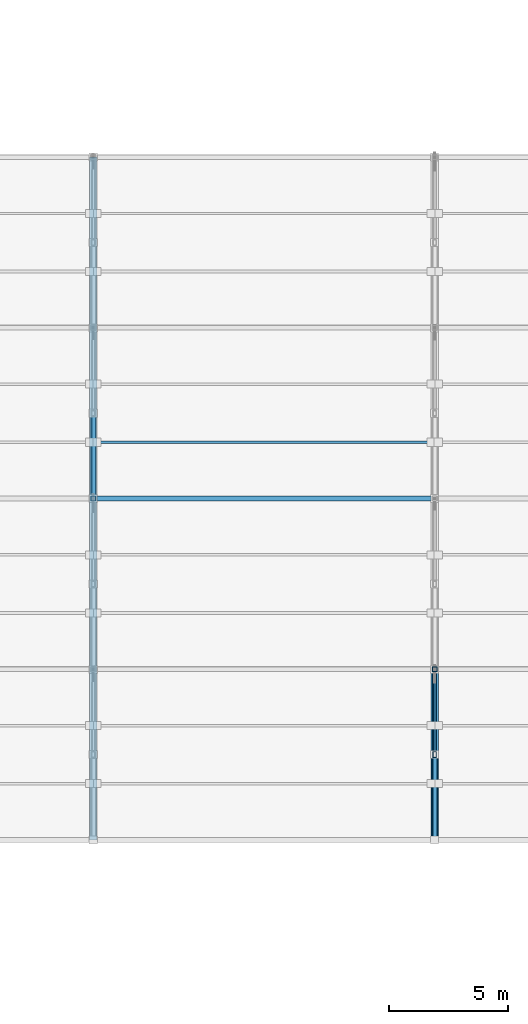
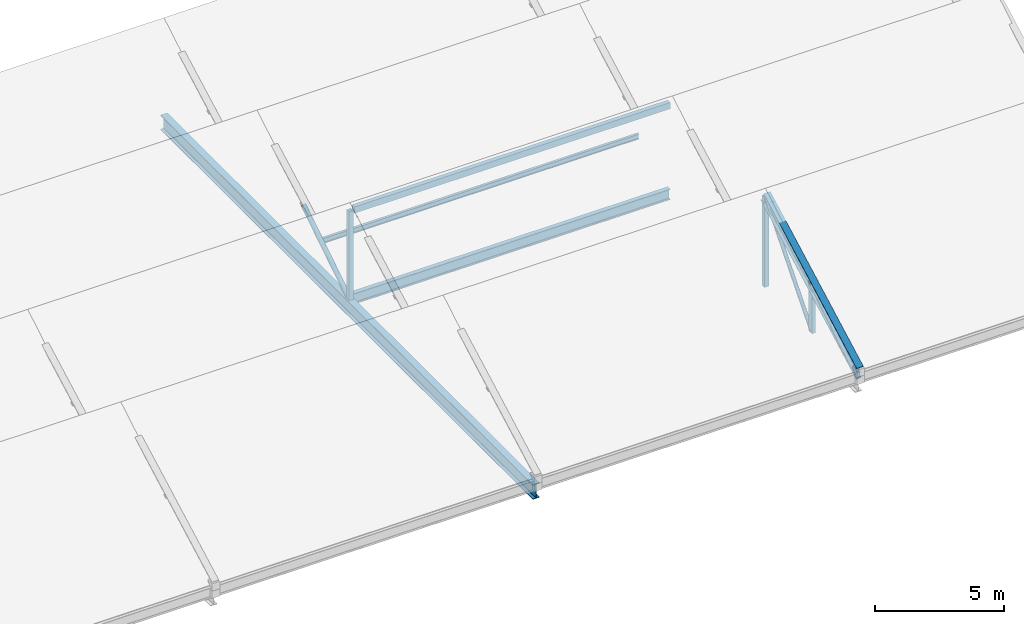
# One storey, part 16 of 51: 9 members, 2 beams.
"""IFC4 building model written with IfcOpenShell, lengths in metres."""

import ifcopenshell
import ifcopenshell.guid

model = None  # the IFC model being written
_history = None  # IfcOwnerHistory: only IFC2X3 demands one
_inside = {}  # id of a spatial element -> (the spatial element, [elements in it])
_under = {}  # id of a project, library or spatial element -> (it, [spatial elements below it])
_declared = {}  # id of a project -> (the project, [libraries it declares])
_typed = {}  # id of a type object -> (the type object, [elements of that type])
_made_of = {}  # id of a material, layer set ... -> (it, [elements and type objects made of it])


def new_model(schema):
    """Start an empty IFC model of exactly this schema.

    Asked for "IFC4X3", IfcOpenShell would pick the latest addendum, in which some entities
    have other attributes; the version numbers below select the first issue.
    IFC2X3 requires an IfcOwnerHistory on every rooted entity: one is made here for all.
    """
    global model, _history
    if schema == "IFC4X3":
        model = ifcopenshell.file(schema_version=(4, 3, 0, 0))
    else:
        model = ifcopenshell.file(schema=schema)
    _inside.clear()
    _under.clear()
    _declared.clear()
    _typed.clear()
    _made_of.clear()
    _history = None
    if model.schema == "IFC2X3":
        org = make("IfcOrganization", Name="unknown")
        user = make(
            "IfcPersonAndOrganization",
            ThePerson=make("IfcPerson", FamilyName="unknown"),
            TheOrganization=org,
        )
        app = make(
            "IfcApplication",
            ApplicationDeveloper=org,
            Version="unknown",
            ApplicationFullName="unknown",
            ApplicationIdentifier="unknown",
        )
        _history = make(
            "IfcOwnerHistory",
            OwningUser=user,
            OwningApplication=app,
            ChangeAction="ADDED",
            CreationDate=0,
        )
    return model


def make(cls, **values):
    """One entity of the class cls with the attributes given. An attribute that is None is left unset."""
    return model.create_entity(
        cls, **{name: value for name, value in values.items() if value is not None}
    )


def rooted(cls, **values):
    """An entity with a GlobalId (a new one), such as an element, a storey or a relation."""
    return make(cls, GlobalId=ifcopenshell.guid.new(), OwnerHistory=_history, **values)


def si_unit(unit_type, name, prefix=None):
    """IfcSIUnit, for example si_unit("LENGTHUNIT", "METRE", prefix="MILLI")."""
    return make("IfcSIUnit", UnitType=unit_type, Prefix=prefix, Name=name)


def assignment(units):
    """IfcUnitAssignment: the units of a project."""
    return None if units is None else make("IfcUnitAssignment", Units=units)


def point(xyz):
    """IfcCartesianPoint."""
    return None if xyz is None else make("IfcCartesianPoint", Coordinates=xyz)


def direction(xyz):
    """IfcDirection."""
    return None if xyz is None else make("IfcDirection", DirectionRatios=xyz)


def frame(location, z_axis=None, x_axis=None):
    """IfcAxis2Placement3D, a coordinate frame: its origin and axes. An axis left out is left unset."""
    return make(
        "IfcAxis2Placement3D",
        Location=point(location),
        Axis=direction(z_axis),
        RefDirection=direction(x_axis),
    )


def frame_2d(location, x_axis=None):
    """IfcAxis2Placement2D, a coordinate frame in the plane: its origin and x axis."""
    return make(
        "IfcAxis2Placement2D", Location=point(location), RefDirection=direction(x_axis)
    )


def origin():
    """The frame at (0, 0, 0) with its axes left unset."""
    return frame((0.0, 0.0, 0.0))


def origin_2d():
    """The frame at (0, 0) in the plane with its x axis left unset."""
    return frame_2d((0.0, 0.0))


def place(relative_to, where):
    """IfcLocalPlacement: puts the frame where relative to a parent placement (None: the world)."""
    return make(
        "IfcLocalPlacement", PlacementRelTo=relative_to, RelativePlacement=where
    )


def context(
    kind, dimensions, precision=None, world=None, true_north=None, identifier=None
):
    """IfcGeometricRepresentationContext, for example the 3D "Model" context."""
    return make(
        "IfcGeometricRepresentationContext",
        ContextIdentifier=identifier,
        ContextType=kind,
        CoordinateSpaceDimension=dimensions,
        Precision=precision,
        WorldCoordinateSystem=world,
        TrueNorth=true_north,
    )


def subcontext(parent, identifier, kind, view, scale=None):
    """IfcGeometricRepresentationSubContext, for example "Body" below "Model"."""
    return make(
        "IfcGeometricRepresentationSubContext",
        ContextIdentifier=identifier,
        ContextType=kind,
        ParentContext=parent,
        TargetScale=scale,
        TargetView=view,
    )


def project(units=None, contexts=None):
    """IfcProject with its units and contexts."""
    return rooted(
        "IfcProject",
        Name="project",
        RepresentationContexts=contexts,
        UnitsInContext=assignment(units),
    )


def spatial(cls, under=None, at=None, **own):
    """A site, building, storey or space (cls), placed at a placement, below another one or the project."""
    s = rooted(cls, ObjectPlacement=at, **own)
    if under is not None:
        _under.setdefault(under.id(), (under, []))[1].append(s)
    return s


def profile(cls, at=None, kind="AREA", **sizes):
    """A parametric profile (cls). Its sizes go by their IFC names, for example OverallWidth=200.0."""
    return make(cls, ProfileType=kind, Position=at, **sizes)


def hollow_rectangle(**sizes):
    """IfcRectangleHollowProfileDef."""
    return profile("IfcRectangleHollowProfileDef", **sizes)


def hollow_circle(**sizes):
    """IfcCircleHollowProfileDef."""
    return profile("IfcCircleHollowProfileDef", **sizes)


def i_section(**sizes):
    """IfcIShapeProfileDef."""
    return profile("IfcIShapeProfileDef", **sizes)


def extrude(swept, where, along, depth):
    """IfcExtrudedAreaSolid: the profile swept, set in the frame where, extruded along a direction by depth."""
    return make(
        "IfcExtrudedAreaSolid",
        SweptArea=swept,
        Position=where,
        ExtrudedDirection=direction(along),
        Depth=depth,
    )


def shape(context_of_items, identifier, shape_type, items):
    """IfcShapeRepresentation: the items that make up one representation, for example the "Body"."""
    return make(
        "IfcShapeRepresentation",
        ContextOfItems=context_of_items,
        RepresentationIdentifier=identifier,
        RepresentationType=shape_type,
        Items=items,
    )


def material(Name=None, Category=None):
    """IfcMaterial."""
    return make("IfcMaterial", Name=Name, Category=Category)


def material_profile(
    of_material, cross_section, Name=None, Category=None, Priority=None
):
    """IfcMaterialProfile: a cross section and its material."""
    return make(
        "IfcMaterialProfile",
        Name=Name,
        Material=of_material,
        Profile=cross_section,
        Priority=Priority,
        Category=Category,
    )


def profile_set(profiles, Name=None, composite=None):
    """IfcMaterialProfileSet."""
    return make(
        "IfcMaterialProfileSet",
        Name=Name,
        MaterialProfiles=profiles,
        CompositeProfile=composite,
    )


def made_of(thing, what):
    """Note that an element or type object is made of a material, layer set ...; save() writes the relation."""
    if what is not None:
        _made_of.setdefault(what.id(), (what, []))[1].append(thing)
    return thing


def type_object(cls, material=None, **own):
    """A type object (cls), such as IfcWallType, which elements share."""
    return made_of(rooted(cls, **own), material)


def element(
    cls,
    number,
    at=None,
    inside=None,
    cuts=None,
    type_object=None,
    material=None,
    context=None,
    identifier="Body",
    shape_type=None,
    held_by="IfcProductDefinitionShape",
    body=None,
    shapes=None,
    **own,
):
    """One element of the class cls, such as IfcWall. Its Tag is "e" and its number.

    at: its placement. inside: the storey or other place that contains it. cuts: it is an
    opening in that element (IfcRelVoidsElement). A single representation is given by context,
    identifier, shape_type and body (its items); several are given by shapes. held_by: the class
    of the entity that holds the representations. save() writes the other relations.
    """
    e = rooted(cls, Tag="e%d" % number, ObjectPlacement=at, **own)
    if body is not None:
        shapes = [shape(context, identifier, shape_type, body)]
    if shapes is not None:
        e.Representation = make(held_by, Representations=shapes)
    if inside is not None:
        _inside.setdefault(inside.id(), (inside, []))[1].append(e)
    if cuts is not None:
        rooted(
            "IfcRelVoidsElement", RelatingBuildingElement=cuts, RelatedOpeningElement=e
        )
    if type_object is not None:
        _typed.setdefault(type_object.id(), (type_object, []))[1].append(e)
    return made_of(e, material)


def aggregate(whole, parts):
    """IfcRelAggregates: a whole, such as a stair, and the parts it consists of."""
    return rooted("IfcRelAggregates", RelatingObject=whole, RelatedObjects=parts)


def save(model, path):
    """Write the relations noted so far, then the file.

    IfcRelAggregates (storeys below a building ...), IfcRelContainedInSpatialStructure (elements
    in a storey), IfcRelDefinesByType, IfcRelAssociatesMaterial and IfcRelDeclares: one each for
    every whole, place, type object, material and project.
    """
    for whole, parts in _under.values():
        aggregate(whole, parts)
    for where, things in _inside.values():
        rooted(
            "IfcRelContainedInSpatialStructure",
            RelatedElements=things,
            RelatingStructure=where,
        )
    for kind, things in _typed.values():
        rooted("IfcRelDefinesByType", RelatedObjects=things, RelatingType=kind)
    for what, things in _made_of.values():
        rooted("IfcRelAssociatesMaterial", RelatedObjects=things, RelatingMaterial=what)
    for by, libraries in _declared.values():
        rooted("IfcRelDeclares", RelatingContext=by, RelatedDefinitions=libraries)
    model.write(path)


model = new_model("IFC4")

# Units and contexts
model_context = context("Model", 3, precision=1e-05, world=origin(), true_north=direction((0.0, 1.0)))
body_context = subcontext(model_context, "Body", "Model", "MODEL_VIEW")
ifc_project = project(units=[si_unit("LENGTHUNIT", "METRE"), si_unit("AREAUNIT", "SQUARE_METRE"), si_unit("VOLUMEUNIT", "CUBIC_METRE"), si_unit("PLANEANGLEUNIT", "RADIAN"), si_unit("MASSUNIT", "GRAM", prefix="KILO")], contexts=[model_context])

# Site, building, storey
site_placement = place(None, origin())
site = spatial("IfcSite", under=ifc_project, at=site_placement, CompositionType="ELEMENT")
building_placement = place(site_placement, origin())
building = spatial("IfcBuilding", under=site, at=building_placement, Name="Valkovuoma Quantum and Materials Research Institute", CompositionType="ELEMENT")
storey_placement = place(building_placement, frame((0.0, 0.0, 17.280029296875)))
storey = spatial("IfcBuildingStorey", under=building, at=storey_placement, Name="L04", CompositionType="ELEMENT", Elevation=17.280029296875)

# Beams
ifc_material_1 = material(Name="Steel S355J2", Category="steel")
ifc_material_profile_1 = material_profile(ifc_material_1, i_section(OverallWidth=0.300048828125, OverallDepth=0.699951171875, WebThickness=0.01708984375, FlangeThickness=0.031982421875, FilletRadius=0.027099609375, at=origin_2d()), Name="Steel S355J2")
ifc_profile_set_1 = profile_set([ifc_material_profile_1], Name="Steel S355J2")
beam_type_1 = type_object("IfcBeamType", Name="Beam-B-HEB700", PredefinedType="BEAM", material=ifc_profile_set_1)
beam_1_placement = place(storey_placement, frame((72.0, 36.0, -0.650146484375), z_axis=(0.0, 1.0, 0.0), x_axis=(-1.0, 0.0, 0.0)))
element("IfcBeam", 1, at=beam_1_placement, inside=storey, type_object=beam_type_1, Name="L04 VOL2 sawtooth tie girder 3", PredefinedType="BEAM", context=body_context, shape_type="SweptSolid", body=[
    extrude(i_section(OverallWidth=0.300048828125, OverallDepth=0.699951171875, WebThickness=0.01708984375, FlangeThickness=0.031982421875, FilletRadius=0.027099609375, at=origin_2d()), origin(), (0.0, 0.0, 1.0), 28.800048828125),
])
ifc_material_2 = material(Name="Steel S355J2", Category="steel")
ifc_material_profile_2 = material_profile(ifc_material_2, i_section(OverallWidth=0.199951171875, OverallDepth=0.5, WebThickness=0.01025390625, FlangeThickness=0.01611328125, FilletRadius=0.02099609375, at=origin_2d()), Name="Steel S355J2")
ifc_profile_set_2 = profile_set([ifc_material_profile_2], Name="Steel S355J2")
beam_type_2 = type_object("IfcBeamType", Name="Beam-B-IPE500", PredefinedType="BEAM", material=ifc_profile_set_2)
beam_2_placement = place(storey_placement, frame((72.14990234375, 50.39990234375, -0.300048828125), z_axis=(1.0, 0.0, 0.0), x_axis=(0.0, 1.0, 0.0)))
element("IfcBeam", 2, at=beam_2_placement, inside=storey, type_object=beam_type_2, Name="L04 VOL2 valley beam 3.3", PredefinedType="BEAM", context=body_context, shape_type="SweptSolid", body=[
    extrude(i_section(OverallWidth=0.199951171875, OverallDepth=0.5, WebThickness=0.01025390625, FlangeThickness=0.01611328125, FilletRadius=0.02099609375, at=origin_2d()), origin(), (0.0, 0.0, 1.0), 14.10009765625),
])

# Members
ifc_material_3 = material(Name="Steel S355J2H", Category="steel")
ifc_material_profile_3 = material_profile(ifc_material_3, hollow_circle(Radius=0.084228515625, WallThickness=0.008056640625, at=origin_2d()), Name="Steel S355J2H")
ifc_profile_set_3 = profile_set([ifc_material_profile_3], Name="Steel S355J2H")
member_type_1 = type_object("IfcMemberType", Name="Mem-M-BRC168", PredefinedType="BRACE", material=ifc_profile_set_3)
member_1_placement = place(storey_placement, frame((86.39990234375, 39.60009765625, -0.35009765625), z_axis=(0.0, 0.647216384213, 0.762306337378), x_axis=(-1.0, 0.0, 0.0)))
element("IfcMember", 3, at=member_1_placement, inside=storey, type_object=member_type_1, Name="L04 VOL2 sawtooth web brace 4.1B", PredefinedType="BRACE", context=body_context, shape_type="SweptSolid", body=[
    extrude(hollow_circle(Radius=0.084228515625, WallThickness=0.008056640625, at=origin_2d()), origin(), (0.0, 0.0, 1.0), 5.56201171875),
])
ifc_material_4 = material(Name="Steel S355J2H", Category="steel")
ifc_material_profile_4 = material_profile(ifc_material_4, hollow_circle(Radius=0.109619140625, WallThickness=0.010009765625, at=origin_2d()), Name="Steel S355J2H")
ifc_profile_set_4 = profile_set([ifc_material_profile_4], Name="Steel S355J2H")
member_type_2 = type_object("IfcMemberType", Name="Mem-M-BRC219", PredefinedType="BRACE", material=ifc_profile_set_4)
for number, where, z_axis, x_axis, name in (
    (4, (72.0, 50.39990234375, -0.35009765625), (0.0, 0.843216181903, 0.537574618613), (-1.0, 0.0, 0.0), "L04 VOL2 sawtooth web brace 3.3A"),
    (5, (86.39990234375, 36.0, -0.35009765625), (0.0, 0.843216181903, 0.537574618613), (-1.0, 0.0, 0.0), "L04 VOL2 sawtooth web brace 4.1A"),
):
    element("IfcMember", number, at=place(storey_placement, frame(where, z_axis=z_axis, x_axis=x_axis)), inside=storey, type_object=member_type_2, Name=name, PredefinedType="BRACE", context=body_context, shape_type="SweptSolid", body=[
        extrude(hollow_circle(Radius=0.109619140625, WallThickness=0.010009765625, at=origin_2d()), origin(), (0.0, 0.0, 1.0), 4.26953125),
    ])
ifc_material_5 = material(Name="Steel S355J2H", Category="steel")
ifc_material_profile_5 = material_profile(ifc_material_5, hollow_rectangle(XDim=0.199951171875, YDim=0.300048828125, WallThickness=0.012451171875, at=origin_2d()), Name="Steel S355J2H")
ifc_profile_set_5 = profile_set([ifc_material_profile_5], Name="Steel S355J2H")
member_type_3 = type_object("IfcMemberType", Name="Mem-M-CHD300", PredefinedType="CHORD", material=ifc_profile_set_5)
member_2_placement = place(storey_placement, frame((72.14990234375, 50.39990234375, 3.889892578125), z_axis=(1.0, 0.0, 0.0), x_axis=(0.0, 1.0, 0.0)))
element("IfcMember", 6, at=member_2_placement, inside=storey, type_object=member_type_3, Name="L04 VOL2 ridge chord 2.3", PredefinedType="CHORD", context=body_context, shape_type="SweptSolid", body=[
    extrude(hollow_rectangle(XDim=0.199951171875, YDim=0.300048828125, WallThickness=0.012451171875, at=origin_2d()), origin(), (0.0, 0.0, 1.0), 14.10009765625),
])
ifc_material_6 = material(Name="Steel S355J2", Category="steel")
ifc_material_profile_6 = material_profile(ifc_material_6, i_section(OverallWidth=0.300048828125, OverallDepth=0.5, WebThickness=0.014404296875, FlangeThickness=0.028076171875, FilletRadius=0.027099609375, at=origin_2d()), Name="Steel S355J2")
ifc_profile_set_6 = profile_set([ifc_material_profile_6], Name="Steel S355J2")
member_type_4 = type_object("IfcMemberType", Name="Mem-M-CHD500", PredefinedType="CHORD", material=ifc_profile_set_6)
member_3_placement = place(storey_placement, frame((86.39990234375, 36.0, 0.0), z_axis=(0.0, 0.879807342754, 0.475330453091), x_axis=(-1.0, 0.0, 0.0)))
element("IfcMember", 7, at=member_3_placement, inside=storey, type_object=member_type_4, Name="L04 VOL2 sawtooth top chord 4.1", PredefinedType="CHORD", context=body_context, shape_type="SweptSolid", body=[
    extrude(i_section(OverallWidth=0.300048828125, OverallDepth=0.5, WebThickness=0.014404296875, FlangeThickness=0.028076171875, FilletRadius=0.027099609375, at=origin_2d()), origin(), (0.0, 0.0, 1.0), 8.18359375),
])
ifc_material_7 = material(Name="Steel S355J2", Category="steel")
ifc_material_profile_7 = material_profile(ifc_material_7, i_section(OverallWidth=0.1201171875, OverallDepth=0.239990234375, WebThickness=0.006103515625, FlangeThickness=0.009765625, FilletRadius=0.014892578125, at=origin_2d()), Name="Steel S355J2")
ifc_profile_set_7 = profile_set([ifc_material_profile_7], Name="Steel S355J2")
member_type_5 = type_object("IfcMemberType", Name="Mem-M-PRL240", PredefinedType="PURLIN", material=ifc_profile_set_7)
member_4_placement = place(storey_placement, frame((72.14990234375, 52.77587890625, 0.9638671875), z_axis=(1.0, 0.0, 0.0), x_axis=(0.0, 1.0, 0.0)))
element("IfcMember", 8, at=member_4_placement, inside=storey, type_object=member_type_5, Name="L04 VOL2 roof purlin 3.3.1", PredefinedType="PURLIN", context=body_context, shape_type="SweptSolid", body=[
    extrude(i_section(OverallWidth=0.1201171875, OverallDepth=0.239990234375, WebThickness=0.006103515625, FlangeThickness=0.009765625, FilletRadius=0.014892578125, at=origin_2d()), origin(), (0.0, 0.0, 1.0), 14.10009765625),
])
ifc_material_8 = material(Name="Steel S355J2H", Category="steel")
ifc_material_profile_8 = material_profile(ifc_material_8, hollow_rectangle(XDim=0.199951171875, YDim=0.199951171875, WallThickness=0.010009765625, at=origin_2d()), Name="Steel S355J2H")
ifc_profile_set_8 = profile_set([ifc_material_profile_8], Name="Steel S355J2H")
member_type_6 = type_object("IfcMemberType", Name="Mem-M-STR200", PredefinedType="STRUT", material=ifc_profile_set_8)
for number, where, z_axis, x_axis, name in (
    (9, (72.0, 50.39990234375, -0.35009765625), (0.0, 0.0, 1.0), (1.0, 0.0, 0.0), "L04 VOL2 sawtooth north post 3.2"),
    (10, (86.39990234375, 43.199951171875, -0.35009765625), (0.0, 0.0, 1.0), (1.0, 0.0, 0.0), "L04 VOL2 sawtooth north post 4.1"),
):
    element("IfcMember", number, at=place(storey_placement, frame(where, z_axis=z_axis, x_axis=x_axis)), inside=storey, type_object=member_type_6, Name=name, PredefinedType="STRUT", context=body_context, shape_type="SweptSolid", body=[
        extrude(hollow_rectangle(XDim=0.199951171875, YDim=0.199951171875, WallThickness=0.010009765625, at=origin_2d()), origin(), (0.0, 0.0, 1.0), 4.239990234375),
    ])
ifc_material_9 = material(Name="Steel S355J2H", Category="steel")
ifc_material_profile_9 = material_profile(ifc_material_9, hollow_rectangle(XDim=0.14990234375, YDim=0.25, WallThickness=0.010009765625, at=origin_2d()), Name="Steel S355J2H")
ifc_profile_set_9 = profile_set([ifc_material_profile_9], Name="Steel S355J2H")
member_type_7 = type_object("IfcMemberType", Name="Mem-M-STR250R", PredefinedType="STRUT", material=ifc_profile_set_9)
member_5_placement = place(storey_placement, frame((86.39990234375, 39.60009765625, -0.35009765625), z_axis=(0.0, 0.0, 1.0), x_axis=(1.0, 0.0, 0.0)))
element("IfcMember", 11, at=member_5_placement, inside=storey, type_object=member_type_7, Name="L04 VOL2 sawtooth mid strut 4.1", PredefinedType="STRUT", context=body_context, shape_type="SweptSolid", body=[
    extrude(hollow_rectangle(XDim=0.14990234375, YDim=0.25, WallThickness=0.010009765625, at=origin_2d()), origin(), (0.0, 0.0, 1.0), 2.295166015625),
])

save(model, "model.ifc")
